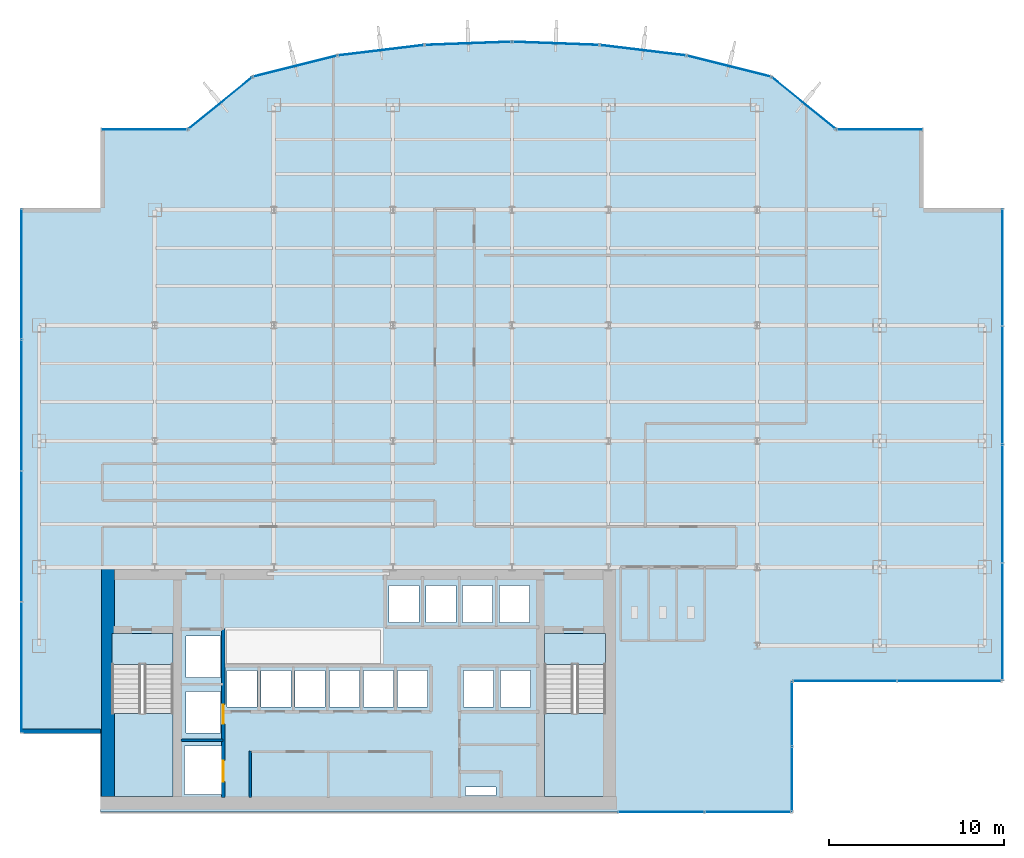
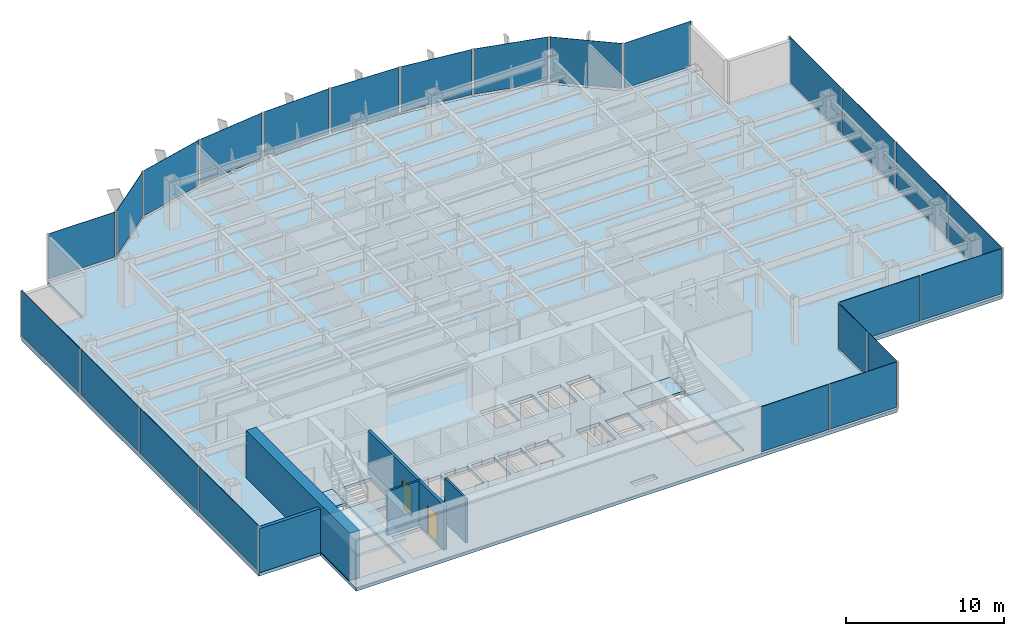
# One storey, part 20 of 26: 24 plates, 5 slabs, 5 walls, 2 doors, 2 openings, 17 elements without a shape of their own.
"""IFC4 building model written with IfcOpenShell, lengths in metres."""

from ifc_helpers import new_model, si_unit, derived_unit, direction, frame, frame_2d, origin, origin_2d, place, context, subcontext, project, spatial, polyline, rectangle, outline, extrude, source, transform, mapped, material, layer, layer_set, type_object, element, fill, aggregate, save


model = new_model("IFC4")

# Units and contexts
model_context = context("Model", 3, precision=1e-05, world=origin(), true_north=direction((0.0, 1.0)))
body_context = subcontext(model_context, "Body", "Model", "MODEL_VIEW")
ifc_project = project(units=[si_unit("LENGTHUNIT", "METRE"), si_unit("AREAUNIT", "SQUARE_METRE"), si_unit("VOLUMEUNIT", "CUBIC_METRE"), si_unit("PLANEANGLEUNIT", "RADIAN"), si_unit("MASSUNIT", "GRAM", prefix="KILO"), derived_unit("THERMALTRANSMITTANCEUNIT", [(si_unit("POWERUNIT", "WATT"), 1), (si_unit("LENGTHUNIT", "METRE"), -2), (si_unit("THERMODYNAMICTEMPERATUREUNIT", "KELVIN"), -1)])], contexts=[model_context])

# Site, building, storey
site_placement = place(None, origin())
site = spatial("IfcSite", under=ifc_project, at=site_placement, CompositionType="ELEMENT")
building_placement = place(site_placement, origin())
building = spatial("IfcBuilding", under=site, at=building_placement, Name="Skarnbrae Concourse Arena and Tower", CompositionType="ELEMENT")
storey_placement = place(building_placement, frame((0.0, 0.0, 95.949951171875)))
storey = spatial("IfcBuildingStorey", under=building, at=storey_placement, Name="L23", CompositionType="ELEMENT", Elevation=95.949951171875)

# Stair, slab
ifc_material_1 = material(Name="Concrete 40 MPa (C40/50)", Category="concrete")
stair_type = type_object("IfcStairType", Name="STAIR-DOGLEG-1650", PredefinedType="HALF_TURN_STAIR", material=ifc_material_1)
stair_1_placement = place(storey_placement, origin())
stair_1 = element("IfcStair", 1, at=stair_1_placement, inside=storey, type_object=stair_type, Name="L23 Protected Exit Stair ST-1", PredefinedType="HALF_TURN_STAIR")
ifc_layer_1 = layer(ifc_material_1, 0.199951171875)
ifc_layer_set_1 = layer_set([ifc_layer_1], Name="Concrete 40 MPa (C40/50)")
slab_type_1 = type_object("IfcSlabType", Name="SLAB-LANDING-200", PredefinedType="LANDING", material=ifc_layer_set_1)
slab_1_placement = place(storey_placement, frame((0.0, 0.0, 1.625)))
slab_1 = element("IfcSlab", 2, at=slab_1_placement, type_object=slab_type_1, Name="ST-1 landing 1", PredefinedType="LANDING", context=body_context, shape_type="SweptSolid", body=[
    extrude(outline(polyline([(5.14990234375, 5.64990234375), (5.14990234375, 0.89990234375), (8.64990234375, 0.89990234375), (8.64990234375, 5.64990234375), (5.14990234375, 5.64990234375)])), origin(), (0.0, 0.0, 1.0), 0.199951171875),
])
aggregate(stair_1, [slab_1])

stair_2_placement = place(storey_placement, origin())
stair_2 = element("IfcStair", 3, at=stair_2_placement, inside=storey, type_object=stair_type, Name="L23 Protected Exit Stair ST-2", PredefinedType="HALF_TURN_STAIR")
slab_2_placement = place(storey_placement, frame((0.0, 0.0, 1.625)))
slab_2 = element("IfcSlab", 4, at=slab_2_placement, type_object=slab_type_1, Name="ST-2 landing 1", PredefinedType="LANDING", context=body_context, shape_type="SweptSolid", body=[
    extrude(outline(polyline([(29.85009765625, 5.64990234375), (29.85009765625, 0.89990234375), (33.35009765625, 0.89990234375), (33.35009765625, 5.64990234375), (29.85009765625, 5.64990234375)])), origin(), (0.0, 0.0, 1.0), 0.199951171875),
])
aggregate(stair_2, [slab_2])

# Slabs
slab_3_placement = place(storey_placement, frame((0.0, 0.0, -0.199951171875)))
element("IfcSlab", 5, at=slab_3_placement, inside=storey, type_object=slab_type_1, Name="L23 Core stair ST1 floor landing", PredefinedType="LANDING", context=body_context, shape_type="SweptSolid", body=[
    extrude(outline(polyline([(5.14990234375, 10.199951171875), (5.14990234375, 8.449951171875), (8.64990234375, 8.449951171875), (8.64990234375, 10.199951171875), (5.14990234375, 10.199951171875)])), origin(), (0.0, 0.0, 1.0), 0.199951171875),
])
slab_4_placement = place(storey_placement, frame((0.0, 0.0, -0.199951171875)))
element("IfcSlab", 6, at=slab_4_placement, inside=storey, type_object=slab_type_1, Name="L23 Core stair ST2 floor landing", PredefinedType="LANDING", context=body_context, shape_type="SweptSolid", body=[
    extrude(outline(polyline([(29.85009765625, 10.199951171875), (29.85009765625, 8.449951171875), (33.35009765625, 8.449951171875), (33.35009765625, 10.199951171875), (29.85009765625, 10.199951171875)])), origin(), (0.0, 0.0, 1.0), 0.199951171875),
])
ifc_layer_2 = layer(ifc_material_1, 0.25)
ifc_layer_set_2 = layer_set([ifc_layer_2], Name="Concrete 40 MPa (C40/50)")
slab_type_2 = type_object("IfcSlabType", Name="SLAB-TOWER-250", PredefinedType="FLOOR", material=ifc_layer_set_2)
slab_5_placement = place(storey_placement, frame((0.0, 0.0, -0.25)))
element("IfcSlab", 7, at=slab_5_placement, inside=storey, type_object=slab_type_2, Name="L23 Structural floor slab", PredefinedType="FLOOR", context=body_context, shape_type="SweptSolid", body=[
    extrude(outline(polyline([(4.5, 0.0), (44.0, 0.0), (44.0, 7.5), (56.0, 7.5), (56.0, 34.5), (51.5, 34.5), (51.5, 39.0), (46.5, 39.0), (42.81103515625, 41.99609375), (37.964111328125, 43.212890625), (32.998779296875, 43.81396484375), (28.0, 44.0), (23.001220703125, 43.81396484375), (18.035888671875, 43.212890625), (13.18896484375, 41.99609375), (9.5, 39.0), (4.5, 39.0), (4.5, 34.5), (0.0, 34.5), (0.0, 4.5), (4.5, 4.5), (4.5, 0.0)]), holes=[polyline([(9.294921875, 3.780029296875), (11.455078125, 3.780029296875), (11.455078125, 1.02001953125), (9.294921875, 1.02001953125), (9.294921875, 3.780029296875)]), polyline([(8.64990234375, 10.199951171875), (8.64990234375, 0.89990234375), (5.14990234375, 0.89990234375), (5.14990234375, 10.199951171875), (8.64990234375, 10.199951171875)]), polyline([(9.39501953125, 6.8798828125), (11.35498046875, 6.8798828125), (11.35498046875, 4.52001953125), (9.39501953125, 4.52001953125), (9.39501953125, 6.8798828125)]), polyline([(11.719970703125, 8.10498046875), (13.429931640625, 8.10498046875), (13.429931640625, 5.9951171875), (11.719970703125, 5.9951171875), (11.719970703125, 8.10498046875)]), polyline([(13.669921875, 8.10498046875), (15.3798828125, 8.10498046875), (15.3798828125, 5.9951171875), (13.669921875, 5.9951171875), (13.669921875, 8.10498046875)]), polyline([(15.6201171875, 8.10498046875), (17.330078125, 8.10498046875), (17.330078125, 5.9951171875), (15.6201171875, 5.9951171875), (15.6201171875, 8.10498046875)]), polyline([(17.570068359375, 8.10498046875), (19.280029296875, 8.10498046875), (19.280029296875, 5.9951171875), (17.570068359375, 5.9951171875), (17.570068359375, 8.10498046875)]), polyline([(21.22998046875, 8.10498046875), (21.22998046875, 5.9951171875), (19.52001953125, 5.9951171875), (19.52001953125, 8.10498046875), (21.22998046875, 8.10498046875)]), polyline([(11.35498046875, 10.054931640625), (11.35498046875, 7.695068359375), (9.39501953125, 7.695068359375), (9.39501953125, 10.054931640625), (11.35498046875, 10.054931640625)]), polyline([(25.35009765625, 1.449951171875), (27.080078125, 1.449951171875), (27.080078125, 0.949951171875), (25.35009765625, 0.949951171875), (25.35009765625, 1.449951171875)]), polyline([(33.35009765625, 10.199951171875), (33.35009765625, 0.89990234375), (29.85009765625, 0.89990234375), (29.85009765625, 10.199951171875), (33.35009765625, 10.199951171875)]), polyline([(21.469970703125, 8.10498046875), (23.179931640625, 8.10498046875), (23.179931640625, 5.9951171875), (21.469970703125, 5.9951171875), (21.469970703125, 8.10498046875)]), polyline([(25.235107421875, 8.10498046875), (26.945068359375, 8.10498046875), (26.945068359375, 5.9951171875), (25.235107421875, 5.9951171875), (25.235107421875, 8.10498046875)]), polyline([(27.3349609375, 8.10498046875), (29.044921875, 8.10498046875), (29.044921875, 5.9951171875), (27.3349609375, 5.9951171875), (27.3349609375, 8.10498046875)]), polyline([(20.985107421875, 12.955078125), (22.695068359375, 12.955078125), (22.695068359375, 10.844970703125), (20.985107421875, 10.844970703125), (20.985107421875, 12.955078125)]), polyline([(23.0849609375, 12.955078125), (24.794921875, 12.955078125), (24.794921875, 10.844970703125), (23.0849609375, 10.844970703125), (23.0849609375, 12.955078125)]), polyline([(26.89501953125, 12.955078125), (26.89501953125, 10.844970703125), (25.18505859375, 10.844970703125), (25.18505859375, 12.955078125), (26.89501953125, 12.955078125)]), polyline([(28.9951171875, 12.955078125), (28.9951171875, 10.844970703125), (27.284912109375, 10.844970703125), (27.284912109375, 12.955078125), (28.9951171875, 12.955078125)])]), origin(), (0.0, 0.0, 1.0), 0.25),
])

# Curtain wall, plates
ifc_material_2 = material(Name="Bronze anodised aluminium 6063-T6", Category="aluminium")
curtain_wall_type = type_object("IfcCurtainWallType", Name="CW-SYS-04-MIDZONE", PredefinedType="USERDEFINED", material=ifc_material_2)
curtain_wall_1_placement = place(storey_placement, origin())
curtain_wall_1 = element("IfcCurtainWall", 8, at=curtain_wall_1_placement, inside=storey, type_object=curtain_wall_type, Name="L23 Unitised curtain wall CW-L23-SE-SPINE", ObjectType="UNITISED CURTAIN WALL", PredefinedType="USERDEFINED")
ifc_material_3 = material(Name="Low-E triple insulating glass", Category="glass")
ifc_layer_3 = layer(ifc_material_3, 0.031982421875)
ifc_layer_set_3 = layer_set([ifc_layer_3], Name="Low-E triple insulating glass")
plate_type = type_object("IfcPlateType", Name="CWP-CW-04", PredefinedType="CURTAIN_PANEL", material=ifc_layer_set_3)
shared_shape_1 = source(origin(), body_context, "Body", "SweptSolid", [
    extrude(rectangle(XDim=4.887451171875, YDim=0.031982421875, at=origin_2d()), origin(), (0.0, 0.0, 1.0), 3.489990234375),
])
plate_1_placement = place(storey_placement, frame((36.518798828125, 0.0, 0.16015625), z_axis=(0.0, 0.0, 1.0), x_axis=(1.0, 0.0, 0.0)))
plate_1 = element("IfcPlate", 9, at=plate_1_placement, type_object=plate_type, Name="CW-L23-SE-SPINE Low-E Glazing Panel 1", PredefinedType="CURTAIN_PANEL", context=body_context, shape_type="MappedRepresentation", body=[
    mapped(shared_shape_1, transform((0.0, 0.0, 0.0))),
])
plate_2_placement = place(storey_placement, frame((41.481201171875, 0.0, 0.16015625), z_axis=(0.0, 0.0, 1.0), x_axis=(1.0, 0.0, 0.0)))
plate_2 = element("IfcPlate", 10, at=plate_2_placement, type_object=plate_type, Name="CW-L23-SE-SPINE Low-E Glazing Panel 2", PredefinedType="CURTAIN_PANEL", context=body_context, shape_type="MappedRepresentation", body=[
    mapped(shared_shape_1, transform((0.0, 0.0, 0.0))),
])
aggregate(curtain_wall_1, [plate_1, plate_2])

curtain_wall_2_placement = place(storey_placement, origin())
curtain_wall_2 = element("IfcCurtainWall", 11, at=curtain_wall_2_placement, inside=storey, type_object=curtain_wall_type, Name="L23 Unitised curtain wall CW-L23-E02", ObjectType="UNITISED CURTAIN WALL", PredefinedType="USERDEFINED")
shared_shape_2 = source(origin(), body_context, "Body", "SweptSolid", [
    extrude(rectangle(XDim=3.637451171875, YDim=0.031982421875, at=origin_2d()), origin(), (0.0, 0.0, 1.0), 3.489990234375),
])
plate_3_placement = place(storey_placement, frame((44.0, 1.893798828125, 0.16015625), z_axis=(0.0, 0.0, 1.0), x_axis=(0.0, 1.0, 0.0)))
plate_3 = element("IfcPlate", 12, at=plate_3_placement, type_object=plate_type, Name="CW-L23-E02 Low-E Glazing Panel 1", PredefinedType="CURTAIN_PANEL", context=body_context, shape_type="MappedRepresentation", body=[
    mapped(shared_shape_2, transform((0.0, 0.0, 0.0))),
])
plate_4_placement = place(storey_placement, frame((44.0, 5.606201171875, 0.16015625), z_axis=(0.0, 0.0, 1.0), x_axis=(0.0, 1.0, 0.0)))
plate_4 = element("IfcPlate", 13, at=plate_4_placement, type_object=plate_type, Name="CW-L23-E02 Low-E Glazing Panel 2", PredefinedType="CURTAIN_PANEL", context=body_context, shape_type="MappedRepresentation", body=[
    mapped(shared_shape_2, transform((0.0, 0.0, 0.0))),
])
aggregate(curtain_wall_2, [plate_3, plate_4])

curtain_wall_3_placement = place(storey_placement, origin())
curtain_wall_3 = element("IfcCurtainWall", 14, at=curtain_wall_3_placement, inside=storey, type_object=curtain_wall_type, Name="L23 Unitised curtain wall CW-L23-E03", ObjectType="UNITISED CURTAIN WALL", PredefinedType="USERDEFINED")
shared_shape_3 = source(origin(), body_context, "Body", "SweptSolid", [
    extrude(rectangle(XDim=5.887451171875, YDim=0.031982421875, at=origin_2d()), origin(), (0.0, 0.0, 1.0), 3.489990234375),
])
plate_5_placement = place(storey_placement, frame((47.018798828125, 7.5, 0.16015625), z_axis=(0.0, 0.0, 1.0), x_axis=(1.0, 0.0, 0.0)))
plate_5 = element("IfcPlate", 15, at=plate_5_placement, type_object=plate_type, Name="CW-L23-E03 Low-E Glazing Panel 1", PredefinedType="CURTAIN_PANEL", context=body_context, shape_type="MappedRepresentation", body=[
    mapped(shared_shape_3, transform((0.0, 0.0, 0.0))),
])
plate_6_placement = place(storey_placement, frame((52.981201171875, 7.5, 0.16015625), z_axis=(0.0, 0.0, 1.0), x_axis=(1.0, 0.0, 0.0)))
plate_6 = element("IfcPlate", 16, at=plate_6_placement, type_object=plate_type, Name="CW-L23-E03 Low-E Glazing Panel 2", PredefinedType="CURTAIN_PANEL", context=body_context, shape_type="MappedRepresentation", body=[
    mapped(shared_shape_3, transform((0.0, 0.0, 0.0))),
])
aggregate(curtain_wall_3, [plate_5, plate_6])

# Curtain wall, plate
curtain_wall_4_placement = place(storey_placement, origin())
curtain_wall_4 = element("IfcCurtainWall", 17, at=curtain_wall_4_placement, inside=storey, type_object=curtain_wall_type, Name="L23 Unitised curtain wall CW-L23-E07", ObjectType="UNITISED CURTAIN WALL", PredefinedType="USERDEFINED")
shared_shape_4 = source(origin(), body_context, "Body", "SweptSolid", [
    extrude(rectangle(XDim=4.85009765625, YDim=0.031982421875, at=origin_2d()), origin(), (0.0, 0.0, 1.0), 3.489990234375),
])
plate_7_placement = place(storey_placement, frame((49.0, 39.0, 0.16015625), z_axis=(0.0, 0.0, 1.0), x_axis=(-1.0, 0.0, 0.0)))
plate_7 = element("IfcPlate", 18, at=plate_7_placement, type_object=plate_type, Name="CW-L23-E07 Low-E Glazing Panel 1", PredefinedType="CURTAIN_PANEL", context=body_context, shape_type="MappedRepresentation", body=[
    mapped(shared_shape_4, transform((0.0, 0.0, 0.0))),
])
aggregate(curtain_wall_4, [plate_7])

curtain_wall_5_placement = place(storey_placement, origin())
curtain_wall_5 = element("IfcCurtainWall", 19, at=curtain_wall_5_placement, inside=storey, type_object=curtain_wall_type, Name="L23 Unitised curtain wall CW-L23-E16", ObjectType="UNITISED CURTAIN WALL", PredefinedType="USERDEFINED")
plate_8_placement = place(storey_placement, frame((7.0, 39.0, 0.16015625), z_axis=(0.0, 0.0, 1.0), x_axis=(-1.0, 0.0, 0.0)))
plate_8 = element("IfcPlate", 20, at=plate_8_placement, type_object=plate_type, Name="CW-L23-E16 Low-E Glazing Panel 1", PredefinedType="CURTAIN_PANEL", context=body_context, shape_type="MappedRepresentation", body=[
    mapped(shared_shape_4, transform((0.0, 0.0, 0.0))),
])
aggregate(curtain_wall_5, [plate_8])

curtain_wall_6_placement = place(storey_placement, origin())
curtain_wall_6 = element("IfcCurtainWall", 21, at=curtain_wall_6_placement, inside=storey, type_object=curtain_wall_type, Name="L23 Unitised curtain wall CW-L23-E08", ObjectType="UNITISED CURTAIN WALL", PredefinedType="USERDEFINED")
shared_shape_5 = source(origin(), body_context, "Body", "SweptSolid", [
    extrude(rectangle(XDim=4.602294921875, YDim=0.031982421875, at=origin_2d()), origin(), (0.0, 0.0, 1.0), 3.489990234375),
])
plate_9_placement = place(storey_placement, frame((44.655517578125, 40.498046875, 0.16015625), z_axis=(0.0, 0.0, 1.0), x_axis=(-0.776241200471, 0.630436038542, 0.0)))
plate_9 = element("IfcPlate", 22, at=plate_9_placement, type_object=plate_type, Name="CW-L23-E08 Low-E Glazing Panel 1", PredefinedType="CURTAIN_PANEL", context=body_context, shape_type="MappedRepresentation", body=[
    mapped(shared_shape_5, transform((0.0, 0.0, 0.0))),
])
aggregate(curtain_wall_6, [plate_9])

curtain_wall_7_placement = place(storey_placement, origin())
curtain_wall_7 = element("IfcCurtainWall", 23, at=curtain_wall_7_placement, inside=storey, type_object=curtain_wall_type, Name="L23 Unitised curtain wall CW-L23-E15", ObjectType="UNITISED CURTAIN WALL", PredefinedType="USERDEFINED")
plate_10_placement = place(storey_placement, frame((11.344482421875, 40.498046875, 0.16015625), z_axis=(0.0, 0.0, 1.0), x_axis=(-0.776241200471, -0.630436038542, 0.0)))
plate_10 = element("IfcPlate", 24, at=plate_10_placement, type_object=plate_type, Name="CW-L23-E15 Low-E Glazing Panel 1", PredefinedType="CURTAIN_PANEL", context=body_context, shape_type="MappedRepresentation", body=[
    mapped(shared_shape_5, transform((0.0, 0.0, 0.0))),
])
aggregate(curtain_wall_7, [plate_10])

curtain_wall_8_placement = place(storey_placement, origin())
curtain_wall_8 = element("IfcCurtainWall", 25, at=curtain_wall_8_placement, inside=storey, type_object=curtain_wall_type, Name="L23 Unitised curtain wall CW-L23-E09", ObjectType="UNITISED CURTAIN WALL", PredefinedType="USERDEFINED")
shared_shape_6 = source(origin(), body_context, "Body", "SweptSolid", [
    extrude(rectangle(XDim=4.847412109375, YDim=0.031982421875, at=origin_2d()), origin(), (0.0, 0.0, 1.0), 3.489990234375),
])
plate_11_placement = place(storey_placement, frame((40.3876953125, 42.6044921875, 0.16015625), z_axis=(0.0, 0.0, 1.0), x_axis=(-0.969903046166, 0.243491439351, 0.0)))
plate_11 = element("IfcPlate", 26, at=plate_11_placement, type_object=plate_type, Name="CW-L23-E09 Low-E Glazing Panel 1", PredefinedType="CURTAIN_PANEL", context=body_context, shape_type="MappedRepresentation", body=[
    mapped(shared_shape_6, transform((0.0, 0.0, 0.0))),
])
aggregate(curtain_wall_8, [plate_11])

curtain_wall_9_placement = place(storey_placement, origin())
curtain_wall_9 = element("IfcCurtainWall", 27, at=curtain_wall_9_placement, inside=storey, type_object=curtain_wall_type, Name="L23 Unitised curtain wall CW-L23-E14", ObjectType="UNITISED CURTAIN WALL", PredefinedType="USERDEFINED")
plate_12_placement = place(storey_placement, frame((15.6123046875, 42.6044921875, 0.16015625), z_axis=(0.0, 0.0, 1.0), x_axis=(-0.969903046166, -0.243491439351, 0.0)))
plate_12 = element("IfcPlate", 28, at=plate_12_placement, type_object=plate_type, Name="CW-L23-E14 Low-E Glazing Panel 1", PredefinedType="CURTAIN_PANEL", context=body_context, shape_type="MappedRepresentation", body=[
    mapped(shared_shape_6, transform((0.0, 0.0, 0.0))),
])
aggregate(curtain_wall_9, [plate_12])

curtain_wall_10_placement = place(storey_placement, origin())
curtain_wall_10 = element("IfcCurtainWall", 29, at=curtain_wall_10_placement, inside=storey, type_object=curtain_wall_type, Name="L23 Unitised curtain wall CW-L23-E10", ObjectType="UNITISED CURTAIN WALL", PredefinedType="USERDEFINED")
shared_shape_7 = source(origin(), body_context, "Body", "SweptSolid", [
    extrude(rectangle(XDim=4.8515625, YDim=0.031982421875, at=origin_2d()), origin(), (0.0, 0.0, 1.0), 3.489990234375),
])
plate_13_placement = place(storey_placement, frame((35.4814453125, 43.513427734375, 0.16015625), z_axis=(0.0, 0.0, 1.0), x_axis=(-0.992749371969, 0.120202680731, 0.0)))
plate_13 = element("IfcPlate", 30, at=plate_13_placement, type_object=plate_type, Name="CW-L23-E10 Low-E Glazing Panel 1", PredefinedType="CURTAIN_PANEL", context=body_context, shape_type="MappedRepresentation", body=[
    mapped(shared_shape_7, transform((0.0, 0.0, 0.0))),
])
aggregate(curtain_wall_10, [plate_13])

curtain_wall_11_placement = place(storey_placement, origin())
curtain_wall_11 = element("IfcCurtainWall", 31, at=curtain_wall_11_placement, inside=storey, type_object=curtain_wall_type, Name="L23 Unitised curtain wall CW-L23-E13", ObjectType="UNITISED CURTAIN WALL", PredefinedType="USERDEFINED")
plate_14_placement = place(storey_placement, frame((20.5185546875, 43.513427734375, 0.16015625), z_axis=(0.0, 0.0, 1.0), x_axis=(-0.992749371969, -0.120202680731, 0.0)))
plate_14 = element("IfcPlate", 32, at=plate_14_placement, type_object=plate_type, Name="CW-L23-E13 Low-E Glazing Panel 1", PredefinedType="CURTAIN_PANEL", context=body_context, shape_type="MappedRepresentation", body=[
    mapped(shared_shape_7, transform((0.0, 0.0, 0.0))),
])
aggregate(curtain_wall_11, [plate_14])

curtain_wall_12_placement = place(storey_placement, origin())
curtain_wall_12 = element("IfcCurtainWall", 33, at=curtain_wall_12_placement, inside=storey, type_object=curtain_wall_type, Name="L23 Unitised curtain wall CW-L23-E11", ObjectType="UNITISED CURTAIN WALL", PredefinedType="USERDEFINED")
shared_shape_8 = source(origin(), body_context, "Body", "SweptSolid", [
    extrude(rectangle(XDim=4.852294921875, YDim=0.031982421875, at=origin_2d()), origin(), (0.0, 0.0, 1.0), 3.489990234375),
])
plate_15_placement = place(storey_placement, frame((30.49951171875, 43.906982421875, 0.16015625), z_axis=(0.0, 0.0, 1.0), x_axis=(-0.999308486252, 0.037182647889, 0.0)))
plate_15 = element("IfcPlate", 34, at=plate_15_placement, type_object=plate_type, Name="CW-L23-E11 Low-E Glazing Panel 1", PredefinedType="CURTAIN_PANEL", context=body_context, shape_type="MappedRepresentation", body=[
    mapped(shared_shape_8, transform((0.0, 0.0, 0.0))),
])
aggregate(curtain_wall_12, [plate_15])

curtain_wall_13_placement = place(storey_placement, origin())
curtain_wall_13 = element("IfcCurtainWall", 35, at=curtain_wall_13_placement, inside=storey, type_object=curtain_wall_type, Name="L23 Unitised curtain wall CW-L23-E12", ObjectType="UNITISED CURTAIN WALL", PredefinedType="USERDEFINED")
plate_16_placement = place(storey_placement, frame((25.50048828125, 43.906982421875, 0.16015625), z_axis=(0.0, 0.0, 1.0), x_axis=(-0.999308486252, -0.037182647889, 0.0)))
plate_16 = element("IfcPlate", 36, at=plate_16_placement, type_object=plate_type, Name="CW-L23-E12 Low-E Glazing Panel 1", PredefinedType="CURTAIN_PANEL", context=body_context, shape_type="MappedRepresentation", body=[
    mapped(shared_shape_8, transform((0.0, 0.0, 0.0))),
])
aggregate(curtain_wall_13, [plate_16])

# Curtain wall, plates
curtain_wall_14_placement = place(storey_placement, origin())
curtain_wall_14 = element("IfcCurtainWall", 37, at=curtain_wall_14_placement, inside=storey, type_object=curtain_wall_type, Name="L23 Unitised curtain wall CW-L23-E19", ObjectType="UNITISED CURTAIN WALL", PredefinedType="USERDEFINED")
shared_shape_9 = source(origin(), body_context, "Body", "SweptSolid", [
    extrude(rectangle(XDim=7.387451171875, YDim=0.031982421875, at=origin_2d()), origin(), (0.0, 0.0, 1.0), 3.489990234375),
])
plate_17_placement = place(storey_placement, frame((0.0, 30.731201171875, 0.16015625), z_axis=(0.0, 0.0, 1.0), x_axis=(0.0, -1.0, 0.0)))
plate_17 = element("IfcPlate", 38, at=plate_17_placement, type_object=plate_type, Name="CW-L23-E19 Low-E Glazing Panel 1", PredefinedType="CURTAIN_PANEL", context=body_context, shape_type="MappedRepresentation", body=[
    mapped(shared_shape_9, transform((0.0, 0.0, 0.0))),
])
plate_18_placement = place(storey_placement, frame((0.0, 8.268798828125, 0.16015625), z_axis=(0.0, 0.0, 1.0), x_axis=(0.0, -1.0, 0.0)))
plate_18 = element("IfcPlate", 39, at=plate_18_placement, type_object=plate_type, Name="CW-L23-E19 Low-E Glazing Panel 4", PredefinedType="CURTAIN_PANEL", context=body_context, shape_type="MappedRepresentation", body=[
    mapped(shared_shape_9, transform((0.0, 0.0, 0.0))),
])
shared_shape_10 = source(origin(), body_context, "Body", "SweptSolid", [
    extrude(rectangle(XDim=7.425048828125, YDim=0.031982421875, at=origin_2d()), origin(), (0.0, 0.0, 1.0), 3.489990234375),
])
plate_19_placement = place(storey_placement, frame((0.0, 23.25, 0.16015625), z_axis=(0.0, 0.0, 1.0), x_axis=(0.0, -1.0, 0.0)))
plate_19 = element("IfcPlate", 40, at=plate_19_placement, type_object=plate_type, Name="CW-L23-E19 Low-E Glazing Panel 2", PredefinedType="CURTAIN_PANEL", context=body_context, shape_type="MappedRepresentation", body=[
    mapped(shared_shape_10, transform((0.0, 0.0, 0.0))),
])
plate_20_placement = place(storey_placement, frame((0.0, 15.75, 0.16015625), z_axis=(0.0, 0.0, 1.0), x_axis=(0.0, -1.0, 0.0)))
plate_20 = element("IfcPlate", 41, at=plate_20_placement, type_object=plate_type, Name="CW-L23-E19 Low-E Glazing Panel 3", PredefinedType="CURTAIN_PANEL", context=body_context, shape_type="MappedRepresentation", body=[
    mapped(shared_shape_10, transform((0.0, 0.0, 0.0))),
])
aggregate(curtain_wall_14, [plate_17, plate_19, plate_20, plate_18])

curtain_wall_15_placement = place(storey_placement, origin())
curtain_wall_15 = element("IfcCurtainWall", 42, at=curtain_wall_15_placement, inside=storey, type_object=curtain_wall_type, Name="L23 Unitised curtain wall CW-L23-E04", ObjectType="UNITISED CURTAIN WALL", PredefinedType="USERDEFINED")
shared_shape_11 = source(origin(), body_context, "Body", "SweptSolid", [
    extrude(rectangle(XDim=6.637451171875, YDim=0.031982421875, at=origin_2d()), origin(), (0.0, 0.0, 1.0), 3.489990234375),
])
plate_21_placement = place(storey_placement, frame((56.0, 10.893798828125, 0.16015625), z_axis=(0.0, 0.0, 1.0), x_axis=(0.0, 1.0, 0.0)))
plate_21 = element("IfcPlate", 43, at=plate_21_placement, type_object=plate_type, Name="CW-L23-E04 Low-E Glazing Panel 1", PredefinedType="CURTAIN_PANEL", context=body_context, shape_type="MappedRepresentation", body=[
    mapped(shared_shape_11, transform((0.0, 0.0, 0.0))),
])
plate_22_placement = place(storey_placement, frame((56.0, 31.106201171875, 0.16015625), z_axis=(0.0, 0.0, 1.0), x_axis=(0.0, 1.0, 0.0)))
plate_22 = element("IfcPlate", 44, at=plate_22_placement, type_object=plate_type, Name="CW-L23-E04 Low-E Glazing Panel 4", PredefinedType="CURTAIN_PANEL", context=body_context, shape_type="MappedRepresentation", body=[
    mapped(shared_shape_11, transform((0.0, 0.0, 0.0))),
])
shared_shape_12 = source(origin(), body_context, "Body", "SweptSolid", [
    extrude(rectangle(XDim=6.675048828125, YDim=0.031982421875, at=origin_2d()), origin(), (0.0, 0.0, 1.0), 3.489990234375),
])
plate_23_placement = place(storey_placement, frame((56.0, 17.625, 0.16015625), z_axis=(0.0, 0.0, 1.0), x_axis=(0.0, 1.0, 0.0)))
plate_23 = element("IfcPlate", 45, at=plate_23_placement, type_object=plate_type, Name="CW-L23-E04 Low-E Glazing Panel 2", PredefinedType="CURTAIN_PANEL", context=body_context, shape_type="MappedRepresentation", body=[
    mapped(shared_shape_12, transform((0.0, 0.0, 0.0))),
])
plate_24_placement = place(storey_placement, frame((56.0, 24.375, 0.16015625), z_axis=(0.0, 0.0, 1.0), x_axis=(0.0, 1.0, 0.0)))
plate_24 = element("IfcPlate", 46, at=plate_24_placement, type_object=plate_type, Name="CW-L23-E04 Low-E Glazing Panel 3", PredefinedType="CURTAIN_PANEL", context=body_context, shape_type="MappedRepresentation", body=[
    mapped(shared_shape_12, transform((0.0, 0.0, 0.0))),
])
aggregate(curtain_wall_15, [plate_21, plate_23, plate_24, plate_22])

# Walls
ifc_material_4 = material(Name="Concrete 60 MPa (C60/75)", Category="concrete")
ifc_layer_4 = layer(ifc_material_4, 0.75)
ifc_layer_set_4 = layer_set([ifc_layer_4], Name="Concrete 60 MPa (C60/75)")
wall_type_1 = type_object("IfcWallType", Name="WALL-CORE-750-C60", PredefinedType="SHEAR", material=ifc_layer_set_4)
shared_shape_13 = source(origin(), body_context, "Body", "SweptSolid", [
    extrude(rectangle(XDim=13.10009765625, YDim=0.75, at=frame_2d((6.550048828125, 0.0))), origin(), (0.0, 0.0, 1.0), 3.650146484375),
])
wall_1_placement = place(storey_placement, frame((4.925048828125, 0.89990234375, 0.0), z_axis=(0.0, 0.0, 1.0), x_axis=(0.0, 1.0, 0.0)))
element("IfcWall", 47, at=wall_1_placement, inside=storey, type_object=wall_type_1, Name="L23 Rear core shear wall CW-W", PredefinedType="SHEAR", context=body_context, shape_type="MappedRepresentation", body=[
    mapped(shared_shape_13, transform((0.0, 0.0, 0.0))),
])
ifc_material_5 = material(Name="Precast concrete 40 MPa (C40/50)", Category="concrete")
ifc_layer_5 = layer(ifc_material_5, 0.25)
ifc_layer_set_5 = layer_set([ifc_layer_5], Name="Precast concrete 40 MPa (C40/50)")
wall_type_2 = type_object("IfcWallType", Name="WALL-EXT-SPANDREL-250", PredefinedType="STANDARD", material=ifc_layer_set_5)
shared_shape_14 = source(origin(), body_context, "Body", "SweptSolid", [
    extrude(rectangle(XDim=4.5, YDim=0.25, at=frame_2d((2.25, 0.0))), origin(), (0.0, 0.0, 1.0), 3.400146484375),
])
wall_2_placement = place(storey_placement, frame((0.0, 4.625, 0.0), z_axis=(0.0, 0.0, 1.0), x_axis=(1.0, 0.0, 0.0)))
element("IfcWall", 48, at=wall_2_placement, inside=storey, type_object=wall_type_2, Name="L23 Notched corner insulated return wall 20", PredefinedType="STANDARD", context=body_context, shape_type="MappedRepresentation", body=[
    mapped(shared_shape_14, transform((0.0, 0.0, 0.0))),
])

# Wall, openings, doors
ifc_material_6 = material(Name="Gypsum board on cold-formed steel studs", Category="steel")
ifc_layer_6 = layer(ifc_material_6, 0.199951171875)
ifc_layer_set_6 = layer_set([ifc_layer_6], Name="Gypsum board on cold-formed steel studs")
wall_type_3 = type_object("IfcWallType", Name="WALL-PART-200-2HR", PredefinedType="PARTITIONING", material=ifc_layer_set_6)
shared_shape_15 = source(origin(), body_context, "Body", "SweptSolid", [
    extrude(rectangle(XDim=9.599853515625, YDim=0.199951171875, at=frame_2d((4.7998046875, 0.0))), origin(), (0.0, 0.0, 1.0), 3.400146484375),
])
wall_3_placement = place(storey_placement, frame((11.5, 0.85009765625, 0.0), z_axis=(0.0, 0.0, 1.0), x_axis=(0.0, 1.0, 0.0)))
wall_3 = element("IfcWall", 49, at=wall_3_placement, inside=storey, type_object=wall_type_3, Name="L23 Interior partition wall W-L23-FL-E", PredefinedType="PARTITIONING", context=body_context, shape_type="MappedRepresentation", body=[
    mapped(shared_shape_15, transform((0.0, 0.0, 0.0))),
])
opening_1_placement = place(wall_3_placement, frame((4.199951171875, 0.0, 0.0)))
opening_1 = element("IfcOpeningElement", 50, at=opening_1_placement, cuts=wall_3, Name="Opening LD-01", PredefinedType="OPENING", context=body_context, shape_type="SweptSolid", body=[
    extrude(rectangle(XDim=1.10009765625, YDim=2.14990234375, at=frame_2d((0.550048828125, 1.074951171875))), frame((0.0, 0.10986328125, 0.0), z_axis=(0.0, -1.0, 0.0), x_axis=(1.0, 0.0, 0.0)), (0.0, 0.0, 1.0), 0.219970703125),
])
opening_2_placement = place(wall_3_placement, frame((0.89990234375, 0.0, 0.0)))
opening_2 = element("IfcOpeningElement", 51, at=opening_2_placement, cuts=wall_3, Name="Opening LD-02", PredefinedType="OPENING", context=body_context, shape_type="SweptSolid", body=[
    extrude(rectangle(XDim=1.199951171875, YDim=2.14990234375, at=frame_2d((0.60009765625, 1.074951171875))), frame((0.0, 0.10986328125, 0.0), z_axis=(0.0, -1.0, 0.0), x_axis=(1.0, 0.0, 0.0)), (0.0, 0.0, 1.0), 0.219970703125),
])
ifc_material_7 = material(Name="Steel CSA G40.21 350W", Category="steel")
door_type_1 = type_object("IfcDoorType", Name="DOOR-LIFT-SLIDE-1100", OperationType="SLIDING_TO_LEFT", PredefinedType="DOOR", material=ifc_material_7)
shared_shape_16 = source(origin(), body_context, "Body", "SweptSolid", [
    extrude(rectangle(XDim=1.10009765625, YDim=2.14990234375, at=frame_2d((0.550048828125, 1.074951171875))), frame((0.0, 0.02490234375, 0.0), z_axis=(0.0, -1.0, 0.0), x_axis=(1.0, 0.0, 0.0)), (0.0, 0.0, 1.0), 0.050048828125),
])
door_1_placement = place(opening_1_placement, frame((1.10009765625, 0.0, 0.0), z_axis=(0.0, 0.0, 1.0), x_axis=(-1.0, 0.0, 0.0)))
door_1 = element("IfcDoor", 52, at=door_1_placement, inside=storey, type_object=door_type_1, Name="D-0792 Firefighting Lift Landing Door FL-02", OperationType="SLIDING_TO_LEFT", OverallHeight=2.14990234375, OverallWidth=1.10009765625, PredefinedType="DOOR", context=body_context, shape_type="MappedRepresentation", body=[
    mapped(shared_shape_16, transform((0.0, 0.0, 0.0))),
])
fill(opening_1, door_1)
door_type_2 = type_object("IfcDoorType", Name="DOOR-LIFT-SLIDE-1200", OperationType="SLIDING_TO_LEFT", PredefinedType="DOOR", material=ifc_material_7)
shared_shape_17 = source(origin(), body_context, "Body", "SweptSolid", [
    extrude(rectangle(XDim=1.199951171875, YDim=2.14990234375, at=frame_2d((0.60009765625, 1.074951171875))), frame((0.0, 0.02490234375, 0.0), z_axis=(0.0, -1.0, 0.0), x_axis=(1.0, 0.0, 0.0)), (0.0, 0.0, 1.0), 0.050048828125),
])
door_2_placement = place(opening_2_placement, frame((1.199951171875, 0.0, 0.0), z_axis=(0.0, 0.0, 1.0), x_axis=(-1.0, 0.0, 0.0)))
door_2 = element("IfcDoor", 53, at=door_2_placement, inside=storey, type_object=door_type_2, Name="D-0793 Service Lift Landing Door SV-01", OperationType="SLIDING_TO_LEFT", OverallHeight=2.14990234375, OverallWidth=1.199951171875, PredefinedType="DOOR", context=body_context, shape_type="MappedRepresentation", body=[
    mapped(shared_shape_17, transform((0.0, 0.0, 0.0))),
])
fill(opening_2, door_2)

# Walls
ifc_layer_7 = layer(ifc_material_6, 0.14990234375)
ifc_layer_set_7 = layer_set([ifc_layer_7], Name="Gypsum board on cold-formed steel studs")
wall_type_4 = type_object("IfcWallType", Name="WALL-PART-150", PredefinedType="PARTITIONING", material=ifc_layer_set_7)
shared_shape_18 = source(origin(), body_context, "Body", "SweptSolid", [
    extrude(rectangle(XDim=2.39990234375, YDim=0.14990234375, at=frame_2d((1.199951171875, 0.0))), origin(), (0.0, 0.0, 1.0), 3.400146484375),
])
wall_4_placement = place(storey_placement, frame((9.10009765625, 4.10009765625, 0.0), z_axis=(0.0, 0.0, 1.0), x_axis=(1.0, 0.0, 0.0)))
element("IfcWall", 54, at=wall_4_placement, inside=storey, type_object=wall_type_4, Name="L23 Interior partition wall W-L23-FL-D1", PredefinedType="PARTITIONING", context=body_context, shape_type="MappedRepresentation", body=[
    mapped(shared_shape_18, transform((0.0, 0.0, 0.0))),
])
ifc_layer_8 = layer(ifc_material_6, 0.14990234375)
ifc_layer_set_8 = layer_set([ifc_layer_8], Name="Gypsum board on cold-formed steel studs")
wall_type_5 = type_object("IfcWallType", Name="WALL-PART-150-1HR", PredefinedType="PARTITIONING", material=ifc_layer_set_8)
shared_shape_19 = source(origin(), body_context, "Body", "SweptSolid", [
    extrude(rectangle(XDim=2.64990234375, YDim=0.14990234375, at=frame_2d((1.324951171875, 0.0))), origin(), (0.0, 0.0, 1.0), 3.400146484375),
])
wall_5_placement = place(storey_placement, frame((13.050048828125, 0.85009765625, 0.0), z_axis=(0.0, 0.0, 1.0), x_axis=(0.0, 1.0, 0.0)))
element("IfcWall", 55, at=wall_5_placement, inside=storey, type_object=wall_type_5, Name="L23 Interior partition wall W-L23-B1M-W", PredefinedType="PARTITIONING", context=body_context, shape_type="MappedRepresentation", body=[
    mapped(shared_shape_19, transform((0.0, 0.0, 0.0))),
])

save(model, "model.ifc")
